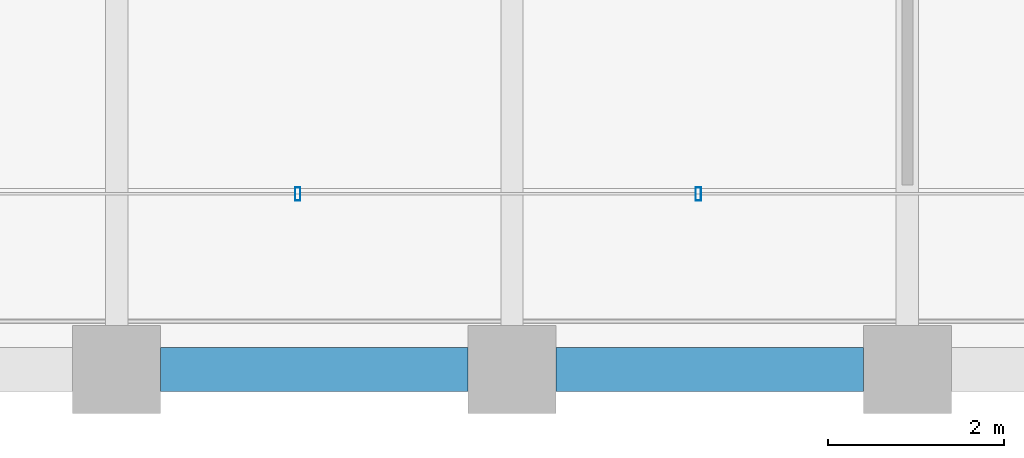
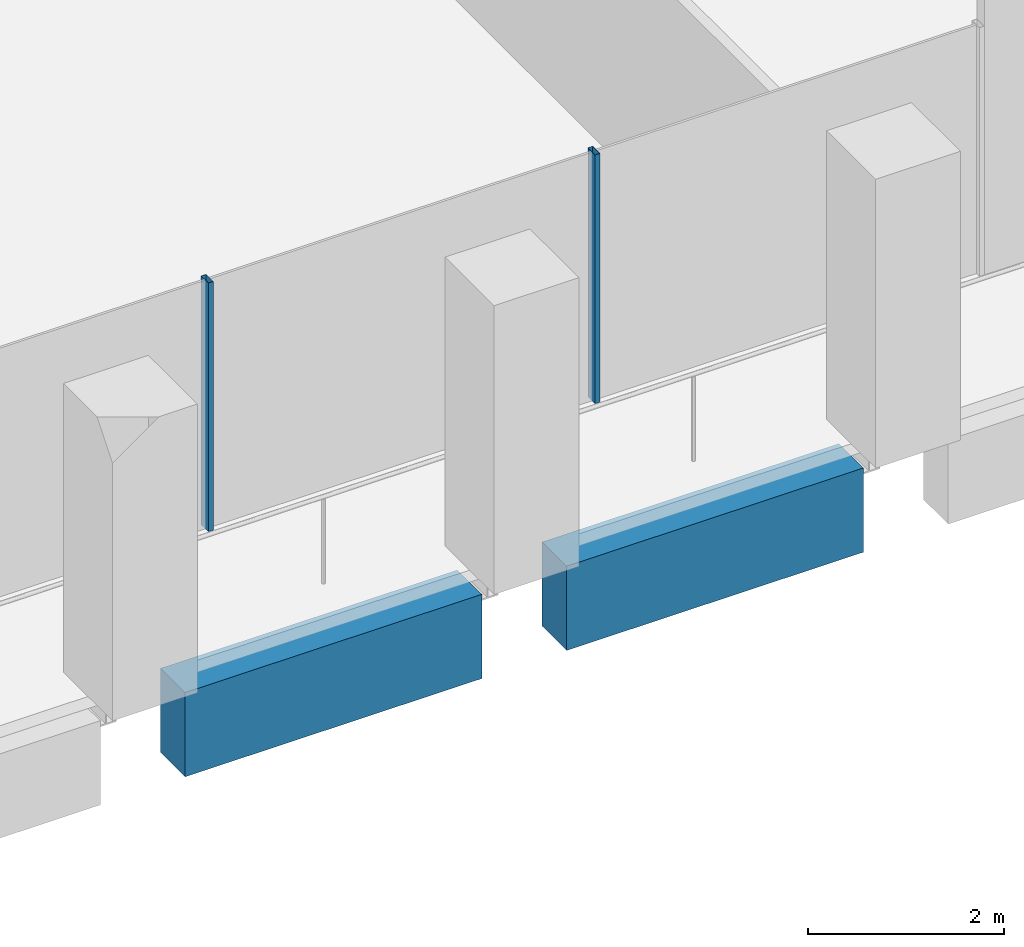
# One storey, part 3 of 46: 2 beams, 2 members, 1 element without a shape of its own.
"""IFC4 building model written with IfcOpenShell, lengths in metres."""

from ifc_helpers import new_model, si_unit, direction, frame, origin, origin_2d, place, context, subcontext, project, spatial, rectangle, hollow_rectangle, extrude, material, material_profile, profile_set, type_object, element, aggregate, save


model = new_model("IFC4")

# Units and contexts
model_context = context("Model", 3, precision=1e-05, world=origin(), true_north=direction((0.0, 1.0)))
body_context = subcontext(model_context, "Body", "Model", "MODEL_VIEW")
ifc_project = project(units=[si_unit("LENGTHUNIT", "METRE"), si_unit("AREAUNIT", "SQUARE_METRE"), si_unit("VOLUMEUNIT", "CUBIC_METRE"), si_unit("PLANEANGLEUNIT", "RADIAN"), si_unit("MASSUNIT", "GRAM", prefix="KILO")], contexts=[model_context])

# Site, building, storey
site_placement = place(None, origin())
site = spatial("IfcSite", under=ifc_project, at=site_placement, CompositionType="ELEMENT")
building_placement = place(site_placement, origin())
building = spatial("IfcBuilding", under=site, at=building_placement, Name="Altepetl Exchange Towers", CompositionType="ELEMENT")
storey_placement = place(building_placement, frame((0.0, 0.0, 124.39990234375)))
storey = spatial("IfcBuildingStorey", under=building, at=storey_placement, Name="L30", CompositionType="ELEMENT", Elevation=124.39990234375)

# Curtain wall, members
ifc_material_1 = material(Name="Aluminium 6063-T6 glazing", Category="aluminium")
curtain_wall_type = type_object("IfcCurtainWallType", Name="Loggia glazing system", PredefinedType="NOTDEFINED", material=ifc_material_1)
curtain_wall_placement = place(storey_placement, origin())
curtain_wall = element("IfcCurtainWall", 1, at=curtain_wall_placement, inside=storey, type_object=curtain_wall_type, Name="CW1 run", PredefinedType="NOTDEFINED")
ifc_material_2 = material(Name="Aluminium 6063-T6", Category="aluminium")
ifc_material_profile_1 = material_profile(ifc_material_2, hollow_rectangle(XDim=0.06005859375, YDim=0.14990234375, WallThickness=0.0029296875, at=origin_2d()), Name="Mullion 60x150 aluminium")
ifc_profile_set_1 = profile_set([ifc_material_profile_1], Name="Aluminium 6063-T6")
member_type = type_object("IfcMemberType", Name="Mullion 60x150 aluminium", PredefinedType="MULLION", material=ifc_profile_set_1)
member_1_placement = place(storey_placement, frame((38.060791015625, 29.0, 0.0)))
member_1 = element("IfcMember", 2, at=member_1_placement, type_object=member_type, Name="MU1 mullion", PredefinedType="MULLION", context=body_context, shape_type="SweptSolid", body=[
    extrude(hollow_rectangle(XDim=0.06005859375, YDim=0.14990234375, WallThickness=0.0029296875, at=origin_2d()), origin(), (0.0, 0.0, 1.0), 3.10009765625),
])
member_2_placement = place(storey_placement, frame((42.621337890625, 29.0, 0.0)))
member_2 = element("IfcMember", 3, at=member_2_placement, type_object=member_type, Name="MU1 mullion", PredefinedType="MULLION", context=body_context, shape_type="SweptSolid", body=[
    extrude(hollow_rectangle(XDim=0.06005859375, YDim=0.14990234375, WallThickness=0.0029296875, at=origin_2d()), origin(), (0.0, 0.0, 1.0), 3.10009765625),
])
aggregate(curtain_wall, [member_1, member_2])

# Beams
ifc_material_3 = material(Name="Concrete C50/60 precast with cantera blanca facing", Category="concrete")
ifc_material_profile_2 = material_profile(ifc_material_3, rectangle(XDim=0.5, YDim=1.050048828125, at=origin_2d()), Name="500 x 1050")
ifc_profile_set_2 = profile_set([ifc_material_profile_2], Name="Concrete C50/60 precast with cantera blanca facing")
beam_type = type_object("IfcBeamType", Name="Spandrel beam 500x1050 cantera blanca", PredefinedType="SPANDREL", material=ifc_profile_set_2)
for number, where, z_axis, x_axis, name in (
    (4, (36.5, 27.0, -0.6748046875), (1.0, 0.0, 0.0), (0.0, 1.0, 0.0), "sp:A:L30:001"),
    (5, (41.0, 27.0, -0.6748046875), (1.0, 0.0, 0.0), (0.0, 1.0, 0.0), "sp:A:L30:002"),
):
    element("IfcBeam", number, at=place(storey_placement, frame(where, z_axis=z_axis, x_axis=x_axis)), inside=storey, type_object=beam_type, Name=name, PredefinedType="SPANDREL", context=body_context, shape_type="SweptSolid", body=[
        extrude(rectangle(XDim=0.5, YDim=1.050048828125, at=origin_2d()), origin(), (0.0, 0.0, 1.0), 3.5),
    ])

save(model, "model.ifc")
